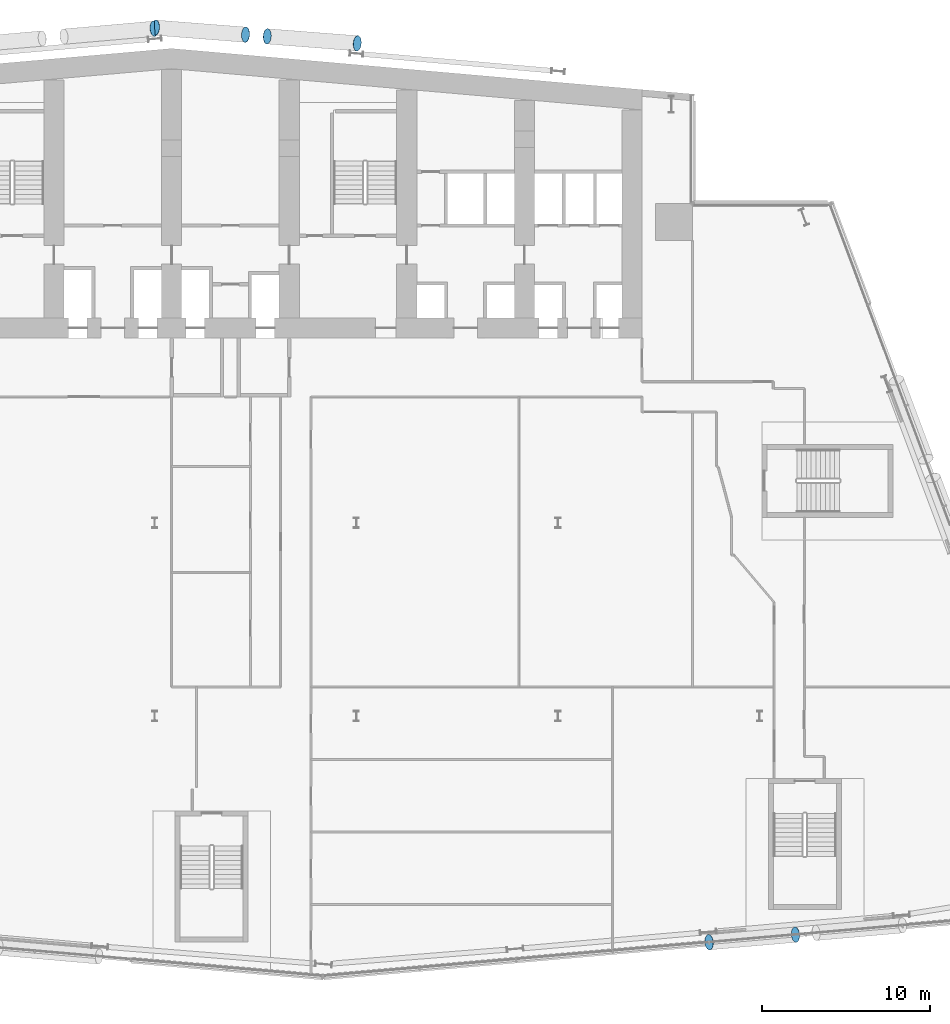
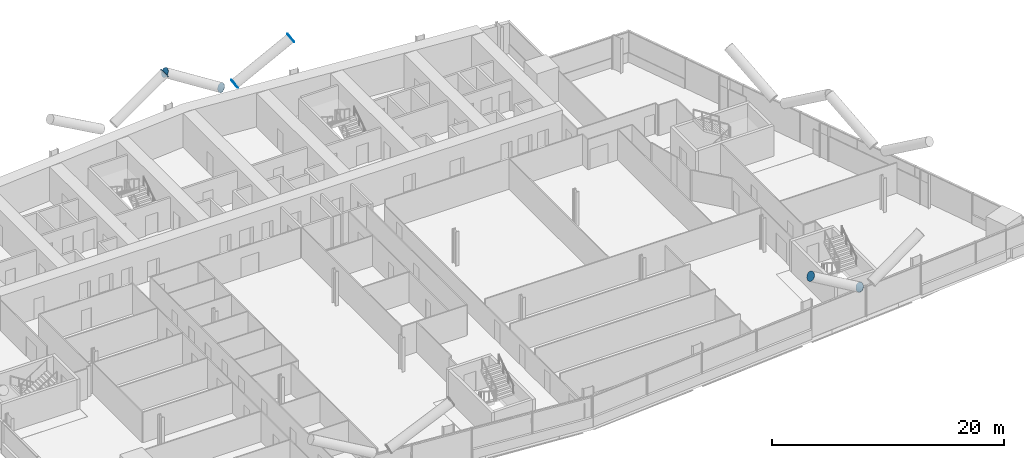
# One storey, part 22 of 27: 7 discrete accessories.
"""IFC4 building model written with IfcOpenShell, lengths in metres."""

from ifc_helpers import new_model, si_unit, direction, frame, origin, origin_2d, place, context, subcontext, project, spatial, circle, extrude, material, material_profile, profile_set, type_object, element, save


model = new_model("IFC4")

# Units and contexts
model_context = context("Model", 3, precision=1e-05, world=origin(), true_north=direction((0.0, 1.0)))
body_context = subcontext(model_context, "Body", "Model", "MODEL_VIEW")
ifc_project = project(units=[si_unit("LENGTHUNIT", "METRE"), si_unit("AREAUNIT", "SQUARE_METRE"), si_unit("VOLUMEUNIT", "CUBIC_METRE"), si_unit("PLANEANGLEUNIT", "RADIAN"), si_unit("MASSUNIT", "GRAM", prefix="KILO")], contexts=[model_context])

# Site, building, storey
site_placement = place(None, origin())
site = spatial("IfcSite", under=ifc_project, at=site_placement, CompositionType="ELEMENT")
building_placement = place(site_placement, origin())
building = spatial("IfcBuilding", under=site, at=building_placement, Name="Wharfspan Tower", CompositionType="ELEMENT")
storey_placement = place(building_placement, frame((0.0, 0.0, 77.5)))
storey = spatial("IfcBuildingStorey", under=building, at=storey_placement, Name="L16", CompositionType="ELEMENT", Elevation=77.5)

# Discrete accessories
ifc_material = material(Name="Steel S460NH", Category="steel")
ifc_material_profile = material_profile(ifc_material, circle(Radius=0.457031, at=origin_2d()))
ifc_profile_set = profile_set([ifc_material_profile], Name="Steel S460NH")
discrete_accessory_type = type_object("IfcDiscreteAccessoryType", Name="End plate CHS 914x40", PredefinedType="BRACKET", material=ifc_profile_set)
discrete_accessory_placement = place(storey_placement, frame((74.137451, -1.507568, 3.280518), z_axis=(-0.848411, -0.07486, 0.524018), x_axis=(0.087893, -0.996132, -2e-06)))
element("IfcDiscreteAccessory", 1, at=discrete_accessory_placement, inside=storey, type_object=discrete_accessory_type, Name="End plate CHS 914x40", PredefinedType="BRACKET", context=body_context, shape_type="SweptSolid", body=[
    extrude(circle(Radius=0.457031, at=origin_2d()), origin(), (0.0, 0.0, 1.0), 0.009766),
])
for number, where, z_axis, x_axis, name in (
    (2, (68.995117, -1.95752, 6.5), (-0.837276, -0.073877, 0.541767), (0.087893, -0.996132, -1e-06), "End plate CHS 914x40"),
    (3, (35.947266, 52.412842, 6.5), (0.855186, 0.073302, 0.513112), (-0.085402, 0.996345, 1e-06), "End plate CHS 914x40"),
    (4, (42.687988, 51.960449, 3.284912), (0.856465, -0.048941, 0.513879), (0.05705, 0.998372, 0.0), "End plate CHS 914x40"),
    (5, (48.044434, 51.544434, 6.5), (0.855186, -0.073302, 0.513112), (0.085402, 0.996345, -1e-06), "End plate CHS 914x40"),
    (6, (41.405029, 52.060303, 3.284912), (-0.856465, 0.048941, 0.513879), (-0.05705, -0.998372, 0.0), "End plate CHS 914x40"),
    (7, (36.048584, 52.476318, 6.5), (-0.856465, 0.048941, 0.513879), (-0.05705, -0.998372, 0.0), "End plate CHS 914x40"),
):
    element("IfcDiscreteAccessory", number, at=place(storey_placement, frame(where, z_axis=z_axis, x_axis=x_axis)), inside=storey, type_object=discrete_accessory_type, Name=name, PredefinedType="BRACKET", context=body_context, shape_type="SweptSolid", body=[
        extrude(circle(Radius=0.457031, at=origin_2d()), origin(), (0.0, 0.0, 1.0), 0.01001),
    ])

save(model, "model.ifc")
